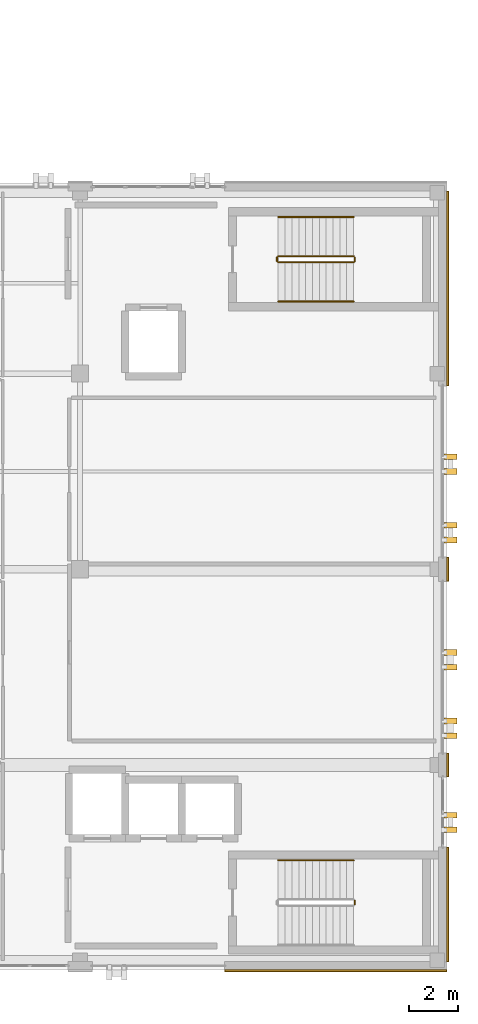
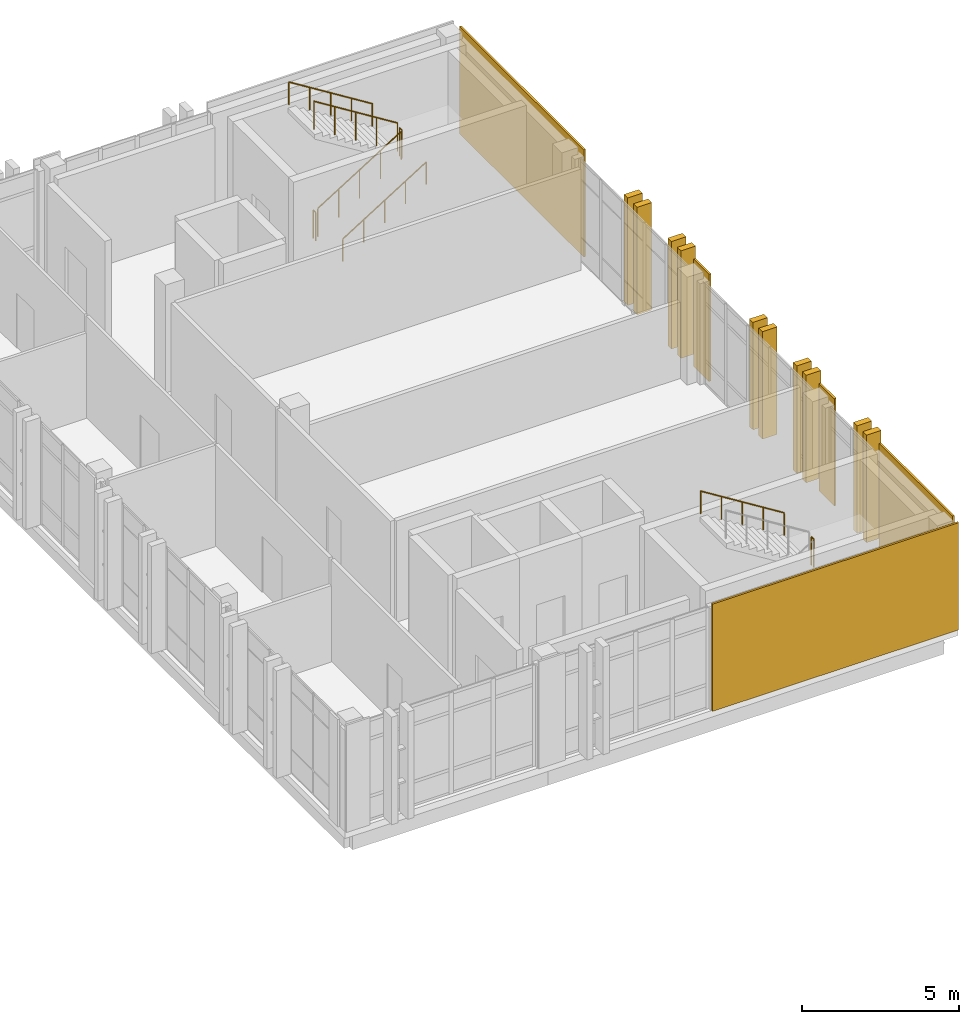
# One storey, part 21 of 22: 15 coverings, 8 railings.
"""IFC4 building model written with IfcOpenShell, lengths in metres."""

from ifc_helpers import new_model, si_unit, direction, frame, origin, origin_2d, place, context, subcontext, project, spatial, rectangle, circle, extrude, material, layer, layer_set, type_object, element, save


model = new_model("IFC4")

# Units and contexts
model_context = context("Model", 3, precision=1e-05, world=origin(), true_north=direction((0.0, 1.0)))
body_context = subcontext(model_context, "Body", "Model", "MODEL_VIEW")
ifc_project = project(units=[si_unit("LENGTHUNIT", "METRE"), si_unit("AREAUNIT", "SQUARE_METRE"), si_unit("VOLUMEUNIT", "CUBIC_METRE"), si_unit("PLANEANGLEUNIT", "RADIAN"), si_unit("MASSUNIT", "GRAM", prefix="KILO")], contexts=[model_context])

# Site, building, storey
site_placement = place(None, origin())
site = spatial("IfcSite", under=ifc_project, at=site_placement, CompositionType="ELEMENT")
building_placement = place(site_placement, origin())
building = spatial("IfcBuilding", under=site, at=building_placement, Name="Qalavern Law Courts", CompositionType="ELEMENT")
storey_placement = place(building_placement, frame((0.0, 0.0, 35.39990234375)))
storey = spatial("IfcBuildingStorey", under=building, at=storey_placement, Name="L08", CompositionType="ELEMENT", Elevation=35.39990234375)

# Coverings
ifc_material_1 = material(Name="Precast concrete C40/50", Category="concrete")
ifc_layer_1 = layer(ifc_material_1, 0.22998046875)
ifc_layer_set_1 = layer_set([ifc_layer_1], Name="Precast concrete C40/50")
covering_type_1 = type_object("IfcCoveringType", Name="ENV-BLD-2", PredefinedType="CLADDING", material=ifc_layer_set_1)
for number, where, z_axis, x_axis, name in (
    (1, (106.93994140625, 46.75, 0.005126953125), (0.0, 0.0, 1.0), (1.0, 0.0, 0.0), "Absheron stone facade blade 0837"),
    (2, (106.93994140625, 47.35009765625, 0.005126953125), (0.0, 0.0, 1.0), (1.0, 0.0, 0.0), "Absheron stone facade blade 0838"),
    (3, (106.93994140625, 50.60009765625, 0.005126953125), (0.0, 0.0, 1.0), (1.0, 0.0, 0.0), "Absheron stone facade blade 0839"),
    (4, (106.93994140625, 51.199951171875, 0.005126953125), (0.0, 0.0, 1.0), (1.0, 0.0, 0.0), "Absheron stone facade blade 0840"),
    (5, (106.93994140625, 53.39990234375, 0.005126953125), (0.0, 0.0, 1.0), (1.0, 0.0, 0.0), "Absheron stone facade blade 0841"),
    (6, (106.93994140625, 54.0, 0.005126953125), (0.0, 0.0, 1.0), (1.0, 0.0, 0.0), "Absheron stone facade blade 0842"),
    (7, (106.93994140625, 58.60009765625, 0.005126953125), (0.0, 0.0, 1.0), (1.0, 0.0, 0.0), "Absheron stone facade blade 0843"),
    (8, (106.93994140625, 59.199951171875, 0.005126953125), (0.0, 0.0, 1.0), (1.0, 0.0, 0.0), "Absheron stone facade blade 0844"),
    (9, (106.93994140625, 61.39990234375, 0.005126953125), (0.0, 0.0, 1.0), (1.0, 0.0, 0.0), "Absheron stone facade blade 0845"),
    (10, (106.93994140625, 62.0, 0.005126953125), (0.0, 0.0, 1.0), (1.0, 0.0, 0.0), "Absheron stone facade blade 0846"),
):
    element("IfcCovering", number, at=place(storey_placement, frame(where, z_axis=z_axis, x_axis=x_axis)), inside=storey, type_object=covering_type_1, Name=name, PredefinedType="CLADDING", context=body_context, shape_type="SweptSolid", body=[
        extrude(rectangle(XDim=0.5400390625, YDim=0.22998046875, at=origin_2d()), origin(), (0.0, 0.0, 1.0), 4.18994140625),
    ])
ifc_layer_2 = layer(ifc_material_1, 0.072021484375)
ifc_layer_set_2 = layer_set([ifc_layer_2], Name="Precast concrete C40/50")
covering_type_2 = type_object("IfcCoveringType", Name="ENV-CLD-2", PredefinedType="CLADDING", material=ifc_layer_set_2)
covering_1_placement = place(storey_placement, frame((102.25, 40.987060546875, 0.01025390625), z_axis=(0.0, 0.0, 1.0), x_axis=(1.0, 0.0, 0.0)))
element("IfcCovering", 11, at=covering_1_placement, inside=storey, type_object=covering_type_2, Name="V4 Absheron limestone pier facing L08 south 3", PredefinedType="CLADDING", context=body_context, shape_type="SweptSolid", body=[
    extrude(rectangle(XDim=9.080078125, YDim=0.072021484375, at=origin_2d()), origin(), (0.0, 0.0, 1.0), 4.179931640625),
])
covering_2_placement = place(storey_placement, frame((106.8330078125, 43.702392578125, 0.01025390625), z_axis=(0.0, 0.0, 1.0), x_axis=(0.0, 1.0, 0.0)))
element("IfcCovering", 12, at=covering_2_placement, inside=storey, type_object=covering_type_2, Name="V4 Absheron limestone pier facing L08 east 1", PredefinedType="CLADDING", context=body_context, shape_type="SweptSolid", body=[
    extrude(rectangle(XDim=4.675048828125, YDim=0.072021484375, at=origin_2d()), origin(), (0.0, 0.0, 1.0), 4.179931640625),
])
for number, where, z_axis, x_axis, name in (
    (13, (106.8330078125, 49.39990234375, 0.01025390625), (0.0, 0.0, 1.0), (0.0, 1.0, 0.0), "V4 Absheron limestone pier facing L08 east 2"),
    (14, (106.8330078125, 57.39990234375, 0.01025390625), (0.0, 0.0, 1.0), (0.0, 1.0, 0.0), "V4 Absheron limestone pier facing L08 east 3"),
):
    element("IfcCovering", number, at=place(storey_placement, frame(where, z_axis=z_axis, x_axis=x_axis)), inside=storey, type_object=covering_type_2, Name=name, PredefinedType="CLADDING", context=body_context, shape_type="SweptSolid", body=[
        extrude(rectangle(XDim=0.97998046875, YDim=0.072021484375, at=origin_2d()), origin(), (0.0, 0.0, 1.0), 4.179931640625),
    ])
covering_3_placement = place(storey_placement, frame((106.8330078125, 68.882568359375, 0.01025390625), z_axis=(0.0, 0.0, 1.0), x_axis=(0.0, 1.0, 0.0)))
element("IfcCovering", 15, at=covering_3_placement, inside=storey, type_object=covering_type_2, Name="V4 Absheron limestone pier facing L08 east 4", PredefinedType="CLADDING", context=body_context, shape_type="SweptSolid", body=[
    extrude(rectangle(XDim=7.945068359375, YDim=0.072021484375, at=origin_2d()), origin(), (0.0, 0.0, 1.0), 4.179931640625),
])

# Railings
ifc_material_2 = material(Name="Steel S355", Category="steel")
railing_type_1 = type_object("IfcRailingType", Name="INT-GUARD-1120", PredefinedType="BALUSTRADE", material=ifc_material_2)
railing_1_placement = place(storey_placement, frame((103.030029296875, 43.699951171875, 2.10009765625)))
element("IfcRailing", 16, at=railing_1_placement, inside=storey, type_object=railing_type_1, Name="L08 ST-K1A stair guard 2", PredefinedType="BALUSTRADE", context=body_context, shape_type="SweptSolid", body=[
    extrude(circle(Radius=0.02392578125, at=origin_2d()), frame((0.0, 0.0, 1.09619140625), z_axis=(0.0, 1.0, 0.0), x_axis=(-1.0, 0.0, 0.0)), (0.0, 0.0, 1.0), 0.150146484375),
    extrude(circle(Radius=0.02099609375, at=origin_2d()), origin(), (0.0, 0.0, 1.0), 1.072021484375),
    extrude(circle(Radius=0.02099609375, at=origin_2d()), frame((0.0, 0.150146484375, 0.0)), (0.0, 0.0, 1.0), 1.072021484375),
])
railing_2_placement = place(storey_placement, frame((99.89990234375, 69.949951171875, 0.175048828125)))
element("IfcRailing", 17, at=railing_2_placement, inside=storey, type_object=railing_type_1, Name="L08 ST-K1B stair guard 1", PredefinedType="BALUSTRADE", context=body_context, shape_type="SweptSolid", body=[
    extrude(circle(Radius=0.02392578125, at=origin_2d()), frame((0.0, 0.0, 1.09619140625), z_axis=(0.847998304005, 0.0, 0.529998940003), x_axis=(0.0, 1.0, 0.0)), (0.0, 0.0, 1.0), 3.632080078125),
    extrude(circle(Radius=0.02099609375, at=origin_2d()), origin(), (0.0, 0.0, 1.0), 1.072021484375),
    extrude(circle(Radius=0.02099609375, at=origin_2d()), frame((0.77001953125, 0.0, 0.481201171875)), (0.0, 0.0, 1.0), 1.072021484375),
    extrude(circle(Radius=0.02099609375, at=origin_2d()), frame((1.5400390625, 0.0, 0.96240234375)), (0.0, 0.0, 1.0), 1.072021484375),
    extrude(circle(Radius=0.02099609375, at=origin_2d()), frame((2.31005859375, 0.0, 1.44384765625)), (0.0, 0.0, 1.0), 1.072021484375),
    extrude(circle(Radius=0.02099609375, at=origin_2d()), frame((3.080078125, 0.0, 1.925048828125)), (0.0, 0.0, 1.0), 1.072021484375),
])
railing_3_placement = place(storey_placement, frame((103.030029296875, 70.0, 2.10009765625)))
element("IfcRailing", 18, at=railing_3_placement, inside=storey, type_object=railing_type_1, Name="L08 ST-K1B stair guard 2", PredefinedType="BALUSTRADE", context=body_context, shape_type="SweptSolid", body=[
    extrude(circle(Radius=0.02392578125, at=origin_2d()), frame((0.0, 0.0, 1.09619140625), z_axis=(0.0, 1.0, 0.0), x_axis=(-1.0, 0.0, 0.0)), (0.0, 0.0, 1.0), 0.14990234375),
    extrude(circle(Radius=0.02099609375, at=origin_2d()), origin(), (0.0, 0.0, 1.0), 1.072021484375),
    extrude(circle(Radius=0.02099609375, at=origin_2d()), frame((0.0, 0.14990234375, 0.0)), (0.0, 0.0, 1.0), 1.072021484375),
])
railing_4_placement = place(storey_placement, frame((102.97998046875, 70.199951171875, 2.275146484375)))
element("IfcRailing", 19, at=railing_4_placement, inside=storey, type_object=railing_type_1, Name="L08 ST-K1B stair guard 3", PredefinedType="BALUSTRADE", context=body_context, shape_type="SweptSolid", body=[
    extrude(circle(Radius=0.02392578125, at=origin_2d()), frame((0.0, 0.0, 1.09619140625), z_axis=(-0.847998304005, 0.0, 0.529998940003), x_axis=(0.0, -1.0, 0.0)), (0.0, 0.0, 1.0), 3.632080078125),
    extrude(circle(Radius=0.02099609375, at=origin_2d()), origin(), (0.0, 0.0, 1.0), 1.072021484375),
    extrude(circle(Radius=0.02099609375, at=origin_2d()), frame((-0.77001953125, 0.0, 0.481201171875)), (0.0, 0.0, 1.0), 1.072021484375),
    extrude(circle(Radius=0.02099609375, at=origin_2d()), frame((-1.5400390625, 0.0, 0.96240234375)), (0.0, 0.0, 1.0), 1.072021484375),
    extrude(circle(Radius=0.02099609375, at=origin_2d()), frame((-2.31005859375, 0.0, 1.44384765625)), (0.0, 0.0, 1.0), 1.072021484375),
    extrude(circle(Radius=0.02099609375, at=origin_2d()), frame((-3.080078125, 0.0, 1.925048828125)), (0.0, 0.0, 1.0), 1.072021484375),
])
railing_5_placement = place(storey_placement, frame((99.85009765625, 70.0, 0.0)))
element("IfcRailing", 20, at=railing_5_placement, inside=storey, type_object=railing_type_1, Name="L08 ST-K1B stair guard 4", PredefinedType="BALUSTRADE", context=body_context, shape_type="SweptSolid", body=[
    extrude(circle(Radius=0.02392578125, at=origin_2d()), frame((0.0, 0.0, 1.09619140625), z_axis=(0.0, 1.0, 0.0), x_axis=(-1.0, 0.0, 0.0)), (0.0, 0.0, 1.0), 0.14990234375),
    extrude(circle(Radius=0.02099609375, at=origin_2d()), origin(), (0.0, 0.0, 1.0), 1.072021484375),
    extrude(circle(Radius=0.02099609375, at=origin_2d()), frame((0.0, 0.14990234375, 0.0)), (0.0, 0.0, 1.0), 1.072021484375),
])
railing_type_2 = type_object("IfcRailingType", Name="INT-HRAIL-920", PredefinedType="HANDRAIL", material=ifc_material_2)
railing_6_placement = place(storey_placement, frame((102.97998046875, 45.5, 2.275146484375)))
element("IfcRailing", 21, at=railing_6_placement, inside=storey, type_object=railing_type_2, Name="L08 ST-K1A stair handrail 2", PredefinedType="HANDRAIL", context=body_context, shape_type="SweptSolid", body=[
    extrude(circle(Radius=0.02392578125, at=origin_2d()), frame((0.0, 0.0, 0.8759765625), z_axis=(-0.847998304005, 0.0, 0.529998940003), x_axis=(0.0, -1.0, 0.0)), (0.0, 0.0, 1.0), 3.632080078125),
    extrude(circle(Radius=0.02099609375, at=origin_2d()), origin(), (0.0, 0.0, 1.0), 0.851806640625),
    extrude(circle(Radius=0.02099609375, at=origin_2d()), frame((-0.77001953125, 0.0, 0.481201171875)), (0.0, 0.0, 1.0), 0.851806640625),
    extrude(circle(Radius=0.02099609375, at=origin_2d()), frame((-1.5400390625, 0.0, 0.96240234375)), (0.0, 0.0, 1.0), 0.851806640625),
    extrude(circle(Radius=0.02099609375, at=origin_2d()), frame((-2.31005859375, 0.0, 1.44384765625)), (0.0, 0.0, 1.0), 0.851806640625),
    extrude(circle(Radius=0.02099609375, at=origin_2d()), frame((-3.080078125, 0.0, 1.925048828125)), (0.0, 0.0, 1.0), 0.851806640625),
])
railing_7_placement = place(storey_placement, frame((99.89990234375, 68.35009765625, 0.175048828125)))
element("IfcRailing", 22, at=railing_7_placement, inside=storey, type_object=railing_type_2, Name="L08 ST-K1B stair handrail 1", PredefinedType="HANDRAIL", context=body_context, shape_type="SweptSolid", body=[
    extrude(circle(Radius=0.02392578125, at=origin_2d()), frame((0.0, 0.0, 0.8759765625), z_axis=(0.847998304005, 0.0, 0.529998940003), x_axis=(0.0, 1.0, 0.0)), (0.0, 0.0, 1.0), 3.632080078125),
    extrude(circle(Radius=0.02099609375, at=origin_2d()), origin(), (0.0, 0.0, 1.0), 0.851806640625),
    extrude(circle(Radius=0.02099609375, at=origin_2d()), frame((0.77001953125, 0.0, 0.481201171875)), (0.0, 0.0, 1.0), 0.851806640625),
    extrude(circle(Radius=0.02099609375, at=origin_2d()), frame((1.5400390625, 0.0, 0.96240234375)), (0.0, 0.0, 1.0), 0.851806640625),
    extrude(circle(Radius=0.02099609375, at=origin_2d()), frame((2.31005859375, 0.0, 1.44384765625)), (0.0, 0.0, 1.0), 0.851806640625),
    extrude(circle(Radius=0.02099609375, at=origin_2d()), frame((3.080078125, 0.0, 1.925048828125)), (0.0, 0.0, 1.0), 0.851806640625),
])
railing_8_placement = place(storey_placement, frame((102.97998046875, 71.800048828125, 2.275146484375)))
element("IfcRailing", 23, at=railing_8_placement, inside=storey, type_object=railing_type_2, Name="L08 ST-K1B stair handrail 2", PredefinedType="HANDRAIL", context=body_context, shape_type="SweptSolid", body=[
    extrude(circle(Radius=0.02392578125, at=origin_2d()), frame((0.0, 0.0, 0.8759765625), z_axis=(-0.847998304005, 0.0, 0.529998940003), x_axis=(0.0, -1.0, 0.0)), (0.0, 0.0, 1.0), 3.632080078125),
    extrude(circle(Radius=0.02099609375, at=origin_2d()), origin(), (0.0, 0.0, 1.0), 0.851806640625),
    extrude(circle(Radius=0.02099609375, at=origin_2d()), frame((-0.77001953125, 0.0, 0.481201171875)), (0.0, 0.0, 1.0), 0.851806640625),
    extrude(circle(Radius=0.02099609375, at=origin_2d()), frame((-1.5400390625, 0.0, 0.96240234375)), (0.0, 0.0, 1.0), 0.851806640625),
    extrude(circle(Radius=0.02099609375, at=origin_2d()), frame((-2.31005859375, 0.0, 1.44384765625)), (0.0, 0.0, 1.0), 0.851806640625),
    extrude(circle(Radius=0.02099609375, at=origin_2d()), frame((-3.080078125, 0.0, 1.925048828125)), (0.0, 0.0, 1.0), 0.851806640625),
])

save(model, "model.ifc")
